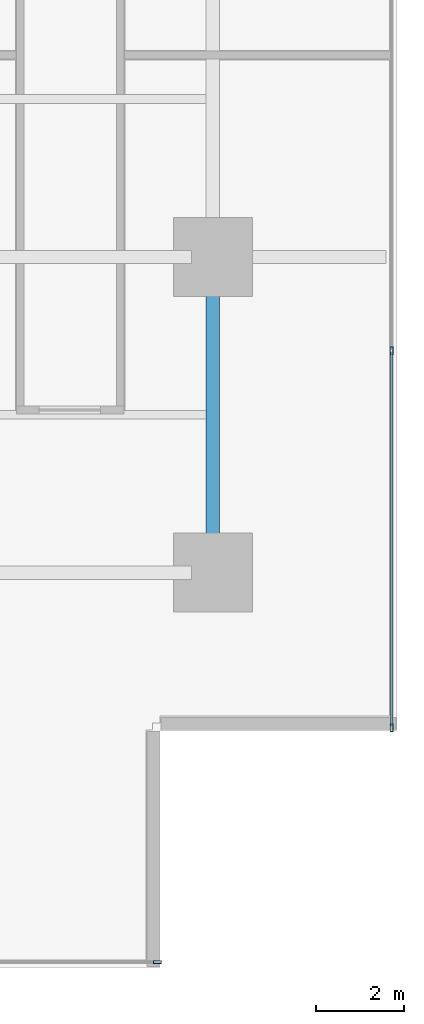
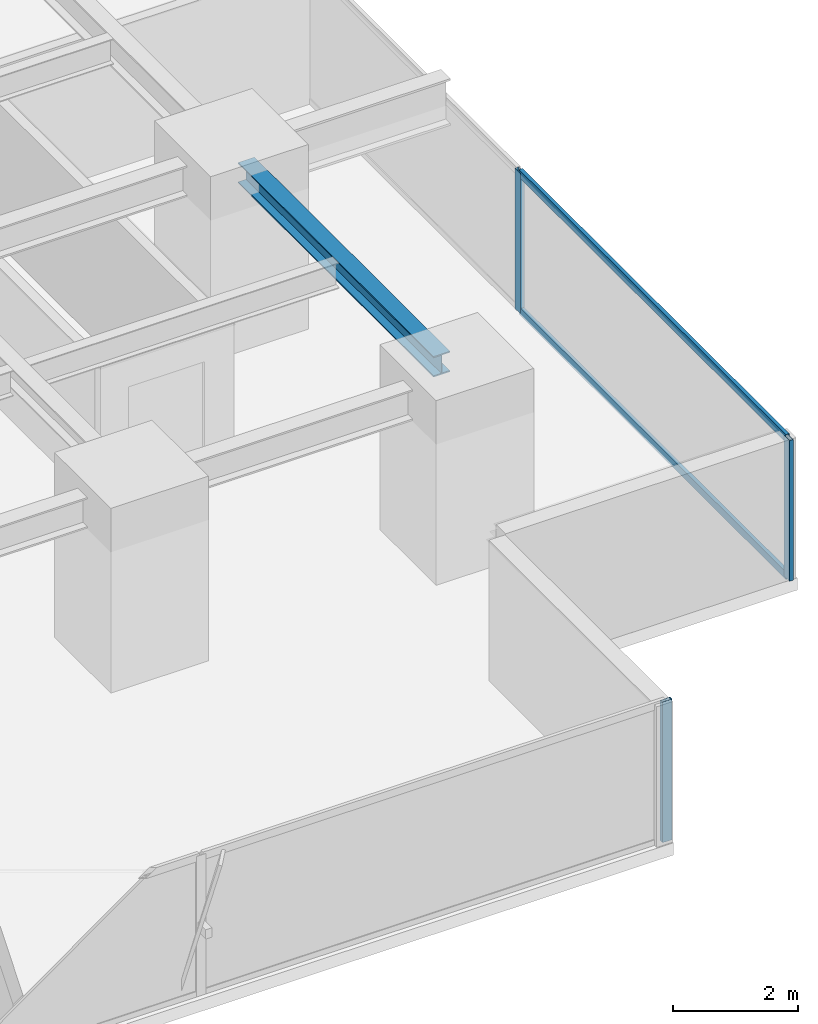
# One storey, part 13 of 33: 5 members, 1 beam, 2 elements without a shape of their own.
"""IFC4 building model written with IfcOpenShell, lengths in metres."""

from ifc_helpers import new_model, si_unit, direction, frame, origin, origin_2d, place, context, subcontext, project, spatial, hollow_rectangle, i_section, extrude, source, transform, mapped, material, layer, layer_set, material_profile, profile_set, type_object, element, aggregate, save


model = new_model("IFC4")

# Units and contexts
model_context = context("Model", 3, precision=1e-05, world=origin(), true_north=direction((0.0, 1.0)))
body_context = subcontext(model_context, "Body", "Model", "MODEL_VIEW")
ifc_project = project(units=[si_unit("LENGTHUNIT", "METRE"), si_unit("AREAUNIT", "SQUARE_METRE"), si_unit("VOLUMEUNIT", "CUBIC_METRE"), si_unit("PLANEANGLEUNIT", "RADIAN"), si_unit("MASSUNIT", "GRAM", prefix="KILO")], contexts=[model_context])

# Site, building, storey
site_placement = place(None, origin())
site = spatial("IfcSite", under=ifc_project, at=site_placement, CompositionType="ELEMENT")
building_placement = place(site_placement, origin())
building = spatial("IfcBuilding", under=site, at=building_placement, Name="Sumidabori Civic Tower", CompositionType="ELEMENT")
storey_placement = place(building_placement, frame((0.0, 0.0, 63.199951171875)))
storey = spatial("IfcBuildingStorey", under=building, at=storey_placement, Name="L16", CompositionType="ELEMENT", Elevation=63.199951171875)

# Beam
ifc_material_1 = material(Name="Steel SN490", Category="steel")
ifc_material_profile_1 = material_profile(ifc_material_1, i_section(OverallWidth=0.300048828125, OverallDepth=0.39990234375, WebThickness=0.013427734375, FlangeThickness=0.02392578125, at=origin_2d()), Name="HE 400 B")
ifc_profile_set_1 = profile_set([ifc_material_profile_1], Name="Steel SN490")
beam_type = type_object("IfcBeamType", Name="BM-GIRD-400", PredefinedType="BEAM", material=ifc_profile_set_1)
shared_shape_1 = source(origin(), body_context, "Body", "SweptSolid", [
    extrude(i_section(OverallWidth=0.300048828125, OverallDepth=0.39990234375, WebThickness=0.013427734375, FlangeThickness=0.02392578125, at=origin_2d()), origin(), (0.0, 0.0, 1.0), 6.239990234375),
])
beam_placement = place(storey_placement, frame((22.800048828125, -17.52001953125, 3.16015625), z_axis=(0.0, 1.0, 0.0), x_axis=(-1.0, 0.0, 0.0)))
element("IfcBeam", 1, at=beam_placement, inside=storey, type_object=beam_type, Name="Primary Girder L16 GY-39", PredefinedType="BEAM", context=body_context, shape_type="MappedRepresentation", body=[
    mapped(shared_shape_1, transform((0.0, 0.0, 0.0), x_axis=(1.0, 0.0, 0.0), y_axis=(0.0, 1.0, 0.0), z_axis=(0.0, 0.0, 1.0), scale=1.0)),
])

# Curtain wall, member
ifc_material_2 = material(Name="Anodised Bronze Aluminium AW-6063-T6", Category="aluminium")
ifc_layer = layer(ifc_material_2, 0.179931640625, Name="Anodised Bronze Aluminium AW-6063-T6")
ifc_layer_set = layer_set([ifc_layer], Name="Anodised Bronze Aluminium AW-6063-T6")
curtain_wall_type = type_object("IfcCurtainWallType", Name="CW-SYS-2", PredefinedType="NOTDEFINED", material=ifc_layer_set)
curtain_wall_1_placement = place(storey_placement, origin())
curtain_wall_1 = element("IfcCurtainWall", 2, at=curtain_wall_1_placement, inside=storey, type_object=curtain_wall_type, Name="Curtain Wall CW:L16:R01", PredefinedType="NOTDEFINED")
ifc_material_profile_2 = material_profile(ifc_material_2, hollow_rectangle(XDim=0.070068359375, YDim=0.179931640625, WallThickness=0.006103515625, at=origin_2d()), Name="ALU MULLION 180x70")
ifc_profile_set_2 = profile_set([ifc_material_profile_2], Name="Anodised Bronze Aluminium AW-6063-T6")
member_type_1 = type_object("IfcMemberType", Name="CW-MUL-180", PredefinedType="MULLION", material=ifc_profile_set_2)
shared_shape_2 = source(origin(), body_context, "Body", "SweptSolid", [
    extrude(hollow_rectangle(XDim=0.070068359375, YDim=0.179931640625, WallThickness=0.006103515625, at=origin_2d()), origin(), (0.0, 0.0, 1.0), 2.739990234375),
])
member_1_placement = place(storey_placement, frame((21.534912109375, -26.8798828125, 0.0), z_axis=(0.0, 0.0, 1.0), x_axis=(0.0, 1.0, 0.0)))
member_1 = element("IfcMember", 3, at=member_1_placement, type_object=member_type_1, Name="CW-2 mullion 6", PredefinedType="MULLION", context=body_context, shape_type="MappedRepresentation", body=[
    mapped(shared_shape_2, transform((0.0, 0.0, 0.0), x_axis=(1.0, 0.0, 0.0), y_axis=(0.0, 1.0, 0.0), z_axis=(0.0, 0.0, 1.0), scale=1.0)),
])
aggregate(curtain_wall_1, [member_1])

# Curtain wall, members
curtain_wall_2_placement = place(storey_placement, origin())
curtain_wall_2 = element("IfcCurtainWall", 4, at=curtain_wall_2_placement, inside=storey, type_object=curtain_wall_type, Name="Curtain Wall CW:L16:R04", PredefinedType="NOTDEFINED")
member_2_placement = place(storey_placement, frame((26.8798828125, -21.534912109375, 0.0), z_axis=(0.0, 0.0, 1.0), x_axis=(-1.0, 0.0, 0.0)))
member_2 = element("IfcMember", 5, at=member_2_placement, type_object=member_type_1, Name="CW-2 mullion 1", PredefinedType="MULLION", context=body_context, shape_type="MappedRepresentation", body=[
    mapped(shared_shape_2, transform((0.0, 0.0, 0.0), x_axis=(1.0, 0.0, 0.0), y_axis=(0.0, 1.0, 0.0), z_axis=(0.0, 0.0, 1.0), scale=1.0)),
])
member_3_placement = place(storey_placement, frame((26.8798828125, -12.94189453125, 0.0), z_axis=(0.0, 0.0, 1.0), x_axis=(-1.0, 0.0, 0.0)))
member_3 = element("IfcMember", 6, at=member_3_placement, type_object=member_type_1, Name="CW-2 mullion 2", PredefinedType="MULLION", context=body_context, shape_type="MappedRepresentation", body=[
    mapped(shared_shape_2, transform((0.0, 0.0, 0.0), x_axis=(1.0, 0.0, 0.0), y_axis=(0.0, 1.0, 0.0), z_axis=(0.0, 0.0, 1.0), scale=1.0)),
])
ifc_material_profile_3 = material_profile(ifc_material_2, hollow_rectangle(XDim=0.06494140625, YDim=0.14990234375, WallThickness=0.0048828125, at=origin_2d()), Name="ALU TRANSOM 150x65")
ifc_profile_set_3 = profile_set([ifc_material_profile_3], Name="Anodised Bronze Aluminium AW-6063-T6")
member_type_2 = type_object("IfcMemberType", Name="CW-TRN-150", PredefinedType="USERDEFINED", material=ifc_profile_set_3)
shared_shape_3 = source(origin(), body_context, "Body", "SweptSolid", [
    extrude(hollow_rectangle(XDim=0.06494140625, YDim=0.14990234375, WallThickness=0.0048828125, at=origin_2d()), origin(), (0.0, 0.0, 1.0), 8.52294921875),
])
member_4_placement = place(storey_placement, frame((26.8798828125, -21.5, 0.032470703125), z_axis=(0.0, 1.0, 0.0), x_axis=(-1.0, 0.0, 0.0)))
member_4 = element("IfcMember", 7, at=member_4_placement, type_object=member_type_2, Name="CW-2 transom 1.1", ObjectType="TRANSOM", PredefinedType="USERDEFINED", context=body_context, shape_type="MappedRepresentation", body=[
    mapped(shared_shape_3, transform((0.0, 0.0, 0.0), x_axis=(1.0, 0.0, 0.0), y_axis=(0.0, 1.0, 0.0), z_axis=(0.0, 0.0, 1.0), scale=1.0)),
])
member_5_placement = place(storey_placement, frame((26.8798828125, -21.5, 2.70751953125), z_axis=(0.0, 1.0, 0.0), x_axis=(-1.0, 0.0, 0.0)))
member_5 = element("IfcMember", 8, at=member_5_placement, type_object=member_type_2, Name="CW-2 transom 1.2", ObjectType="TRANSOM", PredefinedType="USERDEFINED", context=body_context, shape_type="MappedRepresentation", body=[
    mapped(shared_shape_3, transform((0.0, 0.0, 0.0), x_axis=(1.0, 0.0, 0.0), y_axis=(0.0, 1.0, 0.0), z_axis=(0.0, 0.0, 1.0), scale=1.0)),
])
aggregate(curtain_wall_2, [member_2, member_3, member_4, member_5])

save(model, "model.ifc")
